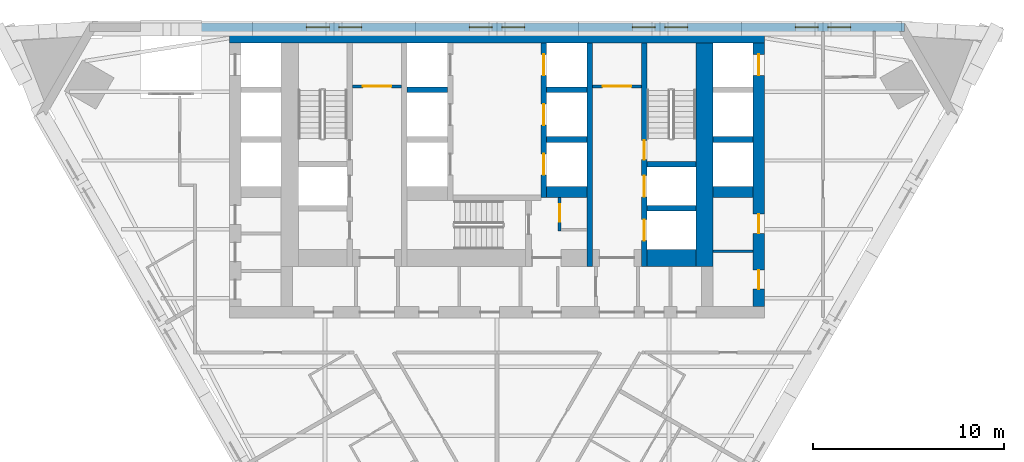
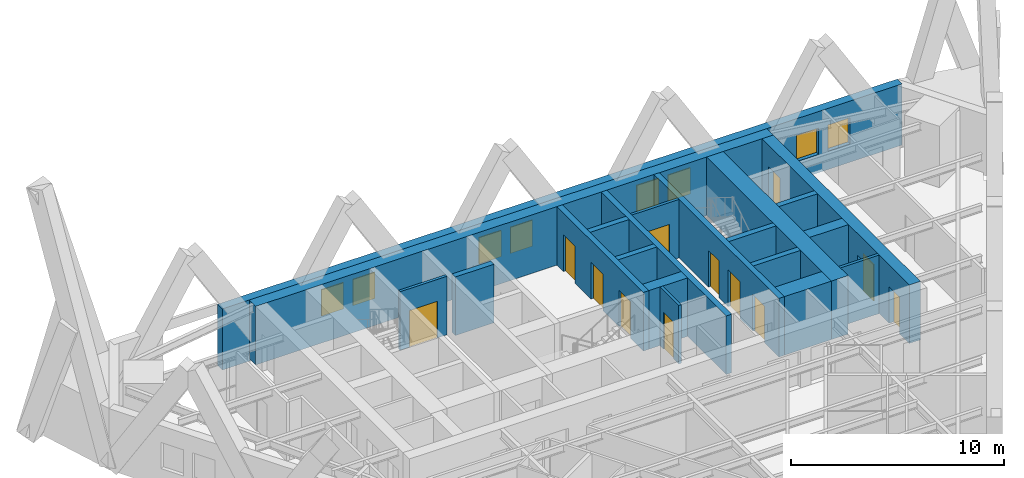
# One storey, part 8 of 11: 20 walls, 12 doors, 8 windows, 20 openings.
"""IFC4 building model written with IfcOpenShell, lengths in metres."""

from ifc_helpers import new_model, si_unit, direction, frame, frame_2d, origin, place, context, subcontext, project, spatial, polyline, rectangle, outline, extrude, material, layer, layer_set, type_object, element, fill, save


model = new_model("IFC4")

# Units and contexts
model_context = context("Model", 3, precision=1e-05, world=origin(), true_north=direction((0.0, 1.0)))
body_context = subcontext(model_context, "Body", "Model", "MODEL_VIEW")
ifc_project = project(units=[si_unit("LENGTHUNIT", "METRE"), si_unit("AREAUNIT", "SQUARE_METRE"), si_unit("VOLUMEUNIT", "CUBIC_METRE"), si_unit("PLANEANGLEUNIT", "RADIAN"), si_unit("MASSUNIT", "GRAM", prefix="KILO")], contexts=[model_context])

# Site, building, storey
site_placement = place(None, origin())
site = spatial("IfcSite", under=ifc_project, at=site_placement, CompositionType="ELEMENT")
building_placement = place(site_placement, origin())
building = spatial("IfcBuilding", under=site, at=building_placement, Name="Aloe Facet Convention Tower", CompositionType="ELEMENT")
storey_placement = place(building_placement, frame((0.0, 0.0, 95.800048828125)))
storey = spatial("IfcBuildingStorey", under=building, at=storey_placement, Name="L23", CompositionType="ELEMENT", Elevation=95.800048828125)

# Wall, opening, door
ifc_material_1 = material(Name="Concrete blockwork partition", Category="masonry")
ifc_layer_1 = layer(ifc_material_1, 0.14990234375)
ifc_layer_set_1 = layer_set([ifc_layer_1], Name="CR-W-PART150")
wall_type_1 = type_object("IfcWallType", Name="CR-W-PART150", PredefinedType="PARTITIONING", material=ifc_layer_set_1)
wall_1_placement = place(storey_placement, frame((72.449951171875, 131.675048828125, 0.0), z_axis=(0.0, 0.0, 1.0), x_axis=(1.0, 0.0, 0.0)))
wall_1 = element("IfcWall", 1, at=wall_1_placement, inside=storey, type_object=wall_type_1, Name="Core partition L23-015", PredefinedType="PARTITIONING", context=body_context, shape_type="SweptSolid", body=[
    extrude(rectangle(XDim=2.550048828125, YDim=0.14990234375, at=frame_2d((1.27490234375, 0.0))), origin(), (0.0, 0.0, 1.0), 3.349853515625),
])
opening_1_placement = place(wall_1_placement, frame((0.52490234375, 0.0, 0.0)))
opening_1 = element("IfcOpeningElement", 2, at=opening_1_placement, cuts=wall_1, Name="Opening L23-CD21", PredefinedType="OPENING", context=body_context, shape_type="SweptSolid", body=[
    extrude(rectangle(XDim=1.5, YDim=2.10009765625, at=frame_2d((0.75, 1.050048828125))), frame((0.0, 0.0849609375, 0.0), z_axis=(0.0, -1.0, 0.0), x_axis=(1.0, 0.0, 0.0)), (0.0, 0.0, 1.0), 0.169921875),
])
ifc_material_2 = material(Name="Steel fire-resisting door set FD60", Category="steel")
door_type_1 = type_object("IfcDoorType", Name="CR-D-REFUGE-1500-FD60-DD", OperationType="DOUBLE_DOOR_DOUBLE_SWING", PredefinedType="DOOR", material=ifc_material_2)
door_1_placement = place(opening_1_placement, origin())
door_1 = element("IfcDoor", 3, at=door_1_placement, inside=storey, type_object=door_type_1, Name="Core door L23-CD21", OperationType="DOUBLE_DOOR_DOUBLE_SWING", OverallHeight=2.10009765625, OverallWidth=1.5, PredefinedType="DOOR", context=body_context, shape_type="SweptSolid", body=[
    extrude(rectangle(XDim=1.5, YDim=2.10009765625, at=frame_2d((0.75, 1.050048828125))), frame((0.0, 0.02490234375, 0.0), z_axis=(0.0, -1.0, 0.0), x_axis=(1.0, 0.0, 0.0)), (0.0, 0.0, 1.0), 0.050048828125),
])
fill(opening_1, door_1)

wall_2_placement = place(storey_placement, frame((83.27490234375, 125.85009765625, 0.0), z_axis=(0.0, 0.0, 1.0), x_axis=(0.0, -1.0, 0.0)))
wall_2 = element("IfcWall", 4, at=wall_2_placement, inside=storey, type_object=wall_type_1, Name="Core partition L23-035", PredefinedType="PARTITIONING", context=body_context, shape_type="SweptSolid", body=[
    extrude(rectangle(XDim=1.75, YDim=0.14990234375, at=frame_2d((0.875, 0.0))), origin(), (0.0, 0.0, 1.0), 3.349853515625),
])
opening_2_placement = place(wall_2_placement, frame((0.35009765625, 0.0, 0.0)))
opening_2 = element("IfcOpeningElement", 5, at=opening_2_placement, cuts=wall_2, Name="Opening L23-CD19", PredefinedType="OPENING", context=body_context, shape_type="SweptSolid", body=[
    extrude(rectangle(XDim=0.89990234375, YDim=2.10009765625, at=frame_2d((0.449951171875, 1.050048828125))), frame((0.0, 0.0849609375, 0.0), z_axis=(0.0, -1.0, 0.0), x_axis=(1.0, 0.0, 0.0)), (0.0, 0.0, 1.0), 0.169921875),
])
ifc_material_3 = material(Name="Steel fire-resisting door set FD60", Category="steel")
door_type_2 = type_object("IfcDoorType", Name="CR-D-REFUGE-900-FD60-SRIGHT", OperationType="SINGLE_SWING_RIGHT", PredefinedType="DOOR", material=ifc_material_3)
door_2_placement = place(opening_2_placement, origin())
door_2 = element("IfcDoor", 6, at=door_2_placement, inside=storey, type_object=door_type_2, Name="Core door L23-CD19", OperationType="SINGLE_SWING_RIGHT", OverallHeight=2.10009765625, OverallWidth=0.89990234375, PredefinedType="DOOR", context=body_context, shape_type="SweptSolid", body=[
    extrude(rectangle(XDim=0.89990234375, YDim=2.10009765625, at=frame_2d((0.449951171875, 1.050048828125))), frame((0.0, 0.02490234375, 0.0), z_axis=(0.0, -1.0, 0.0), x_axis=(1.0, 0.0, 0.0)), (0.0, 0.0, 1.0), 0.050048828125),
])
fill(opening_2, door_2)

wall_3_placement = place(storey_placement, frame((85.0, 131.675048828125, 0.0), z_axis=(0.0, 0.0, 1.0), x_axis=(1.0, 0.0, 0.0)))
wall_3 = element("IfcWall", 7, at=wall_3_placement, inside=storey, type_object=wall_type_1, Name="Core partition L23-038", PredefinedType="PARTITIONING", context=body_context, shape_type="SweptSolid", body=[
    extrude(rectangle(XDim=2.550048828125, YDim=0.14990234375, at=frame_2d((1.27490234375, 0.0))), origin(), (0.0, 0.0, 1.0), 3.349853515625),
])
opening_3_placement = place(wall_3_placement, frame((0.52490234375, 0.0, 0.0)))
opening_3 = element("IfcOpeningElement", 8, at=opening_3_placement, cuts=wall_3, Name="Opening L23-CD20", PredefinedType="OPENING", context=body_context, shape_type="SweptSolid", body=[
    extrude(rectangle(XDim=1.5, YDim=2.10009765625, at=frame_2d((0.75, 1.050048828125))), frame((0.0, 0.0849609375, 0.0), z_axis=(0.0, -1.0, 0.0), x_axis=(1.0, 0.0, 0.0)), (0.0, 0.0, 1.0), 0.169921875),
])
door_3_placement = place(opening_3_placement, origin())
door_3 = element("IfcDoor", 9, at=door_3_placement, inside=storey, type_object=door_type_1, Name="Core door L23-CD20", OperationType="DOUBLE_DOOR_DOUBLE_SWING", OverallHeight=2.10009765625, OverallWidth=1.5, PredefinedType="DOOR", context=body_context, shape_type="SweptSolid", body=[
    extrude(rectangle(XDim=1.5, YDim=2.10009765625, at=frame_2d((0.75, 1.050048828125))), frame((0.0, 0.02490234375, 0.0), z_axis=(0.0, -1.0, 0.0), x_axis=(1.0, 0.0, 0.0)), (0.0, 0.0, 1.0), 0.050048828125),
])
fill(opening_3, door_3)

# Walls
wall_4_placement = place(storey_placement, frame((91.300048828125, 123.048583984375, 0.0), z_axis=(0.0, 0.0, 1.0), x_axis=(1.0, 0.0, 0.0)))
element("IfcWall", 10, at=wall_4_placement, inside=storey, type_object=wall_type_1, Name="Core partition L23-052", PredefinedType="PARTITIONING", context=body_context, shape_type="SweptSolid", body=[
    extrude(rectangle(XDim=2.099853515625, YDim=0.14990234375, at=frame_2d((1.0498046875, 0.0))), origin(), (0.0, 0.0, 1.0), 3.349853515625),
])
ifc_material_4 = material(Name="Concrete C70/85", Category="concrete")
ifc_layer_2 = layer(ifc_material_4, 0.300048828125)
ifc_layer_set_2 = layer_set([ifc_layer_2], Name="CR-W-RC300-C7085")
wall_type_2 = type_object("IfcWallType", Name="CR-W-RC300-C7085", PredefinedType="SOLIDWALL", material=ifc_layer_set_2)
wall_5_placement = place(storey_placement, frame((75.300048828125, 131.5, 0.0), z_axis=(0.0, 0.0, 1.0), x_axis=(1.0, 0.0, 0.0)))
element("IfcWall", 11, at=wall_5_placement, inside=storey, type_object=wall_type_2, Name="Core wall L23-020", PredefinedType="SOLIDWALL", context=body_context, shape_type="SweptSolid", body=[
    extrude(rectangle(XDim=2.099853515625, YDim=0.300048828125, at=frame_2d((1.0498046875, 0.0))), origin(), (0.0, 0.0, 1.0), 3.349853515625),
])

# Wall, openings, doors
wall_6_placement = place(storey_placement, frame((82.449951171875, 133.949951171875, 0.0), z_axis=(0.0, 0.0, 1.0), x_axis=(0.0, -1.0, 0.0)))
wall_6 = element("IfcWall", 12, at=wall_6_placement, inside=storey, type_object=wall_type_2, Name="Core wall L23-030", PredefinedType="SOLIDWALL", context=body_context, shape_type="SweptSolid", body=[
    extrude(rectangle(XDim=8.099853515625, YDim=0.300048828125, at=frame_2d((4.0498046875, 0.0))), origin(), (0.0, 0.0, 1.0), 3.349853515625),
])
opening_4_placement = place(wall_6_placement, frame((0.60009765625, 0.0, 0.0)))
opening_4 = element("IfcOpeningElement", 13, at=opening_4_placement, cuts=wall_6, Name="Opening LD-A4-L23", PredefinedType="OPENING", context=body_context, shape_type="SweptSolid", body=[
    extrude(rectangle(XDim=1.10009765625, YDim=2.10009765625, at=frame_2d((0.550048828125, 1.050048828125))), frame((0.0, 0.16015625, 0.0), z_axis=(0.0, -1.0, 0.0), x_axis=(1.0, 0.0, 0.0)), (0.0, 0.0, 1.0), 0.320068359375),
])
opening_5_placement = place(wall_6_placement, frame((3.199951171875, 0.0, 0.0)))
opening_5 = element("IfcOpeningElement", 14, at=opening_5_placement, cuts=wall_6, Name="Opening LD-A5-L23", PredefinedType="OPENING", context=body_context, shape_type="SweptSolid", body=[
    extrude(rectangle(XDim=1.10009765625, YDim=2.10009765625, at=frame_2d((0.550048828125, 1.050048828125))), frame((0.0, 0.16015625, 0.0), z_axis=(0.0, -1.0, 0.0), x_axis=(1.0, 0.0, 0.0)), (0.0, 0.0, 1.0), 0.320068359375),
])
opening_6_placement = place(wall_6_placement, frame((5.800048828125, 0.0, 0.0)))
opening_6 = element("IfcOpeningElement", 15, at=opening_6_placement, cuts=wall_6, Name="Opening LD-A6-L23", PredefinedType="OPENING", context=body_context, shape_type="SweptSolid", body=[
    extrude(rectangle(XDim=1.10009765625, YDim=2.10009765625, at=frame_2d((0.550048828125, 1.050048828125))), frame((0.0, 0.16015625, 0.0), z_axis=(0.0, -1.0, 0.0), x_axis=(1.0, 0.0, 0.0)), (0.0, 0.0, 1.0), 0.320068359375),
])
ifc_material_5 = material(Name="Stainless steel sliding landing door", Category="steel")
door_type_3 = type_object("IfcDoorType", Name="CR-LD-1100-FD60-_LEFT", OperationType="SLIDING_TO_LEFT", PredefinedType="DOOR", material=ifc_material_5)
door_4_placement = place(opening_4_placement, origin())
door_4 = element("IfcDoor", 16, at=door_4_placement, inside=storey, type_object=door_type_3, Name="Landing door A4 L23", OperationType="SLIDING_TO_LEFT", OverallHeight=2.10009765625, OverallWidth=1.10009765625, PredefinedType="DOOR", context=body_context, shape_type="SweptSolid", body=[
    extrude(rectangle(XDim=1.10009765625, YDim=2.10009765625, at=frame_2d((0.550048828125, 1.050048828125))), frame((0.0, 0.02490234375, 0.0), z_axis=(0.0, -1.0, 0.0), x_axis=(1.0, 0.0, 0.0)), (0.0, 0.0, 1.0), 0.050048828125),
])
fill(opening_4, door_4)
door_5_placement = place(opening_5_placement, origin())
door_5 = element("IfcDoor", 17, at=door_5_placement, inside=storey, type_object=door_type_3, Name="Landing door A5 L23", OperationType="SLIDING_TO_LEFT", OverallHeight=2.10009765625, OverallWidth=1.10009765625, PredefinedType="DOOR", context=body_context, shape_type="SweptSolid", body=[
    extrude(rectangle(XDim=1.10009765625, YDim=2.10009765625, at=frame_2d((0.550048828125, 1.050048828125))), frame((0.0, 0.02490234375, 0.0), z_axis=(0.0, -1.0, 0.0), x_axis=(1.0, 0.0, 0.0)), (0.0, 0.0, 1.0), 0.050048828125),
])
fill(opening_5, door_5)
door_6_placement = place(opening_6_placement, origin())
door_6 = element("IfcDoor", 18, at=door_6_placement, inside=storey, type_object=door_type_3, Name="Landing door A6 L23", OperationType="SLIDING_TO_LEFT", OverallHeight=2.10009765625, OverallWidth=1.10009765625, PredefinedType="DOOR", context=body_context, shape_type="SweptSolid", body=[
    extrude(rectangle(XDim=1.10009765625, YDim=2.10009765625, at=frame_2d((0.550048828125, 1.050048828125))), frame((0.0, 0.02490234375, 0.0), z_axis=(0.0, -1.0, 0.0), x_axis=(1.0, 0.0, 0.0)), (0.0, 0.0, 1.0), 0.050048828125),
])
fill(opening_6, door_6)

# Walls
for number, where, z_axis, x_axis, name in (
    (19, (82.60009765625, 131.5, 0.0), (0.0, 0.0, 1.0), (1.0, 0.0, 0.0), "Core wall L23-031"),
    (20, (82.60009765625, 128.89990234375, 0.0), (0.0, 0.0, 1.0), (1.0, 0.0, 0.0), "Core wall L23-032"),
):
    element("IfcWall", number, at=place(storey_placement, frame(where, z_axis=z_axis, x_axis=x_axis)), inside=storey, type_object=wall_type_2, Name=name, PredefinedType="SOLIDWALL", context=body_context, shape_type="SweptSolid", body=[
        extrude(rectangle(XDim=2.099853515625, YDim=0.300048828125, at=frame_2d((1.0498046875, 0.0))), origin(), (0.0, 0.0, 1.0), 3.349853515625),
    ])
wall_7_placement = place(storey_placement, frame((84.85009765625, 133.949951171875, 0.0), z_axis=(0.0, 0.0, 1.0), x_axis=(0.0, -1.0, 0.0)))
element("IfcWall", 21, at=wall_7_placement, inside=storey, type_object=wall_type_2, Name="Core wall L23-037", PredefinedType="SOLIDWALL", context=body_context, shape_type="SweptSolid", body=[
    extrude(rectangle(XDim=11.699951171875, YDim=0.300048828125, at=frame_2d((5.85009765625, 0.0))), origin(), (0.0, 0.0, 1.0), 3.349853515625),
])

# Wall, openings, doors
wall_8_placement = place(storey_placement, frame((87.699951171875, 133.949951171875, 0.0), z_axis=(0.0, 0.0, 1.0), x_axis=(0.0, -1.0, 0.0)))
wall_8 = element("IfcWall", 22, at=wall_8_placement, inside=storey, type_object=wall_type_2, Name="Core wall L23-042", PredefinedType="SOLIDWALL", context=body_context, shape_type="SweptSolid", body=[
    extrude(rectangle(XDim=11.699951171875, YDim=0.300048828125, at=frame_2d((5.85009765625, 0.0))), origin(), (0.0, 0.0, 1.0), 3.349853515625),
])
opening_7_placement = place(wall_8_placement, frame((6.949951171875, 0.0, 0.0)))
opening_7 = element("IfcOpeningElement", 23, at=opening_7_placement, cuts=wall_8, Name="Opening LD-FF2-L23", PredefinedType="OPENING", context=body_context, shape_type="SweptSolid", body=[
    extrude(rectangle(XDim=1.10009765625, YDim=2.10009765625, at=frame_2d((0.550048828125, 1.050048828125))), frame((0.0, 0.16015625, 0.0), z_axis=(0.0, -1.0, 0.0), x_axis=(1.0, 0.0, 0.0)), (0.0, 0.0, 1.0), 0.320068359375),
])
opening_8_placement = place(wall_8_placement, frame((5.10009765625, 0.0, 0.0)))
opening_8 = element("IfcOpeningElement", 24, at=opening_8_placement, cuts=wall_8, Name="Opening L23-CD30", PredefinedType="OPENING", context=body_context, shape_type="SweptSolid", body=[
    extrude(rectangle(XDim=1.0, YDim=2.10009765625, at=frame_2d((0.5, 1.050048828125))), frame((0.0, 0.16015625, 0.0), z_axis=(0.0, -1.0, 0.0), x_axis=(1.0, 0.0, 0.0)), (0.0, 0.0, 1.0), 0.320068359375),
])
opening_9_placement = place(wall_8_placement, frame((9.25, 0.0, 0.0)))
opening_9 = element("IfcOpeningElement", 25, at=opening_9_placement, cuts=wall_8, Name="Opening LD-SV1-L23", PredefinedType="OPENING", context=body_context, shape_type="SweptSolid", body=[
    extrude(rectangle(XDim=1.10009765625, YDim=2.10009765625, at=frame_2d((0.550048828125, 1.050048828125))), frame((0.0, 0.16015625, 0.0), z_axis=(0.0, -1.0, 0.0), x_axis=(1.0, 0.0, 0.0)), (0.0, 0.0, 1.0), 0.320068359375),
])
ifc_material_6 = material(Name="Steel fire-resisting door set FD120", Category="steel")
door_type_4 = type_object("IfcDoorType", Name="CR-D-STAIR-1000-FD120-SLEFT", OperationType="SINGLE_SWING_LEFT", PredefinedType="DOOR", material=ifc_material_6)
door_7_placement = place(opening_8_placement, origin())
door_7 = element("IfcDoor", 26, at=door_7_placement, inside=storey, type_object=door_type_4, Name="Core door L23-CD30", OperationType="SINGLE_SWING_LEFT", OverallHeight=2.10009765625, OverallWidth=1.0, PredefinedType="DOOR", context=body_context, shape_type="SweptSolid", body=[
    extrude(rectangle(XDim=1.0, YDim=2.10009765625, at=frame_2d((0.5, 1.050048828125))), frame((0.0, 0.02490234375, 0.0), z_axis=(0.0, -1.0, 0.0), x_axis=(1.0, 0.0, 0.0)), (0.0, 0.0, 1.0), 0.050048828125),
])
fill(opening_8, door_7)
ifc_material_7 = material(Name="Stainless steel sliding landing door", Category="steel")
door_type_5 = type_object("IfcDoorType", Name="CR-LD-1100-FD120-_LEFT", OperationType="SLIDING_TO_LEFT", PredefinedType="DOOR", material=ifc_material_7)
door_8_placement = place(opening_7_placement, origin())
door_8 = element("IfcDoor", 27, at=door_8_placement, inside=storey, type_object=door_type_5, Name="Landing door FF2 L23", OperationType="SLIDING_TO_LEFT", OverallHeight=2.10009765625, OverallWidth=1.10009765625, PredefinedType="DOOR", context=body_context, shape_type="SweptSolid", body=[
    extrude(rectangle(XDim=1.10009765625, YDim=2.10009765625, at=frame_2d((0.550048828125, 1.050048828125))), frame((0.0, 0.02490234375, 0.0), z_axis=(0.0, -1.0, 0.0), x_axis=(1.0, 0.0, 0.0)), (0.0, 0.0, 1.0), 0.050048828125),
])
fill(opening_7, door_8)
door_9_placement = place(opening_9_placement, origin())
door_9 = element("IfcDoor", 28, at=door_9_placement, inside=storey, type_object=door_type_5, Name="Landing door SV1 L23", OperationType="SLIDING_TO_LEFT", OverallHeight=2.10009765625, OverallWidth=1.10009765625, PredefinedType="DOOR", context=body_context, shape_type="SweptSolid", body=[
    extrude(rectangle(XDim=1.10009765625, YDim=2.10009765625, at=frame_2d((0.550048828125, 1.050048828125))), frame((0.0, 0.02490234375, 0.0), z_axis=(0.0, -1.0, 0.0), x_axis=(1.0, 0.0, 0.0)), (0.0, 0.0, 1.0), 0.050048828125),
])
fill(opening_9, door_9)

# Walls
for number, where, z_axis, x_axis, name in (
    (29, (87.85009765625, 127.60009765625, 0.0), (0.0, 0.0, 1.0), (1.0, 0.0, 0.0), "Core wall L23-043"),
    (30, (87.85009765625, 125.300048828125, 0.0), (0.0, 0.0, 1.0), (1.0, 0.0, 0.0), "Core wall L23-044"),
):
    element("IfcWall", number, at=place(storey_placement, frame(where, z_axis=z_axis, x_axis=x_axis)), inside=storey, type_object=wall_type_2, Name=name, PredefinedType="SOLIDWALL", context=body_context, shape_type="SweptSolid", body=[
        extrude(rectangle(XDim=2.5498046875, YDim=0.300048828125, at=frame_2d((1.27490234375, 0.0))), origin(), (0.0, 0.0, 1.0), 3.349853515625),
    ])
wall_9_placement = place(storey_placement, frame((91.300048828125, 128.89990234375, 0.0), z_axis=(0.0, 0.0, 1.0), x_axis=(1.0, 0.0, 0.0)))
element("IfcWall", 31, at=wall_9_placement, inside=storey, type_object=wall_type_2, Name="Core wall L23-050", PredefinedType="SOLIDWALL", context=body_context, shape_type="SweptSolid", body=[
    extrude(rectangle(XDim=2.099853515625, YDim=0.300048828125, at=frame_2d((1.0498046875, 0.0))), origin(), (0.0, 0.0, 1.0), 3.349853515625),
])
ifc_material_8 = material(Name="Concrete C70/85", Category="concrete")
ifc_layer_3 = layer(ifc_material_8, 0.60009765625)
ifc_layer_set_3 = layer_set([ifc_layer_3], Name="CR-W-RC600-C7085")
wall_type_3 = type_object("IfcWallType", Name="CR-W-RC600-C7085", PredefinedType="SOLIDWALL", material=ifc_layer_set_3)
wall_10_placement = place(storey_placement, frame((66.0, 134.25, 0.0), z_axis=(0.0, 0.0, 1.0), x_axis=(1.0, 0.0, 0.0)))
element("IfcWall", 32, at=wall_10_placement, inside=storey, type_object=wall_type_3, Name="Core wall L23-001", PredefinedType="SOLIDWALL", context=body_context, shape_type="SweptSolid", body=[
    extrude(rectangle(XDim=28.0, YDim=0.60009765625, at=frame_2d((14.0, 0.0))), origin(), (0.0, 0.0, 1.0), 3.349853515625),
])
for number, where, z_axis, x_axis, name in (
    (33, (82.60009765625, 126.14990234375, 0.0), (0.0, 0.0, 1.0), (1.0, 0.0, 0.0), "Core wall L23-033"),
    (34, (91.300048828125, 126.14990234375, 0.0), (0.0, 0.0, 1.0), (1.0, 0.0, 0.0), "Core wall L23-051"),
):
    element("IfcWall", number, at=place(storey_placement, frame(where, z_axis=z_axis, x_axis=x_axis)), inside=storey, type_object=wall_type_3, Name=name, PredefinedType="SOLIDWALL", context=body_context, shape_type="SweptSolid", body=[
        extrude(rectangle(XDim=2.099853515625, YDim=0.60009765625, at=frame_2d((1.0498046875, 0.0))), origin(), (0.0, 0.0, 1.0), 3.349853515625),
    ])

# Wall, openings, doors
wall_11_placement = place(storey_placement, frame((93.699951171875, 133.949951171875, 0.0), z_axis=(0.0, 0.0, 1.0), x_axis=(0.0, -1.0, 0.0)))
wall_11 = element("IfcWall", 35, at=wall_11_placement, inside=storey, type_object=wall_type_3, Name="Core wall L23-053", PredefinedType="SOLIDWALL", context=body_context, shape_type="SweptSolid", body=[
    extrude(rectangle(XDim=13.800048828125, YDim=0.60009765625, at=frame_2d((6.89990234375, 0.0))), origin(), (0.0, 0.0, 1.0), 3.349853515625),
])
opening_10_placement = place(wall_11_placement, frame((0.60009765625, 0.0, 0.0)))
opening_10 = element("IfcOpeningElement", 36, at=opening_10_placement, cuts=wall_11, Name="Opening LD-A8-L23", PredefinedType="OPENING", context=body_context, shape_type="SweptSolid", body=[
    extrude(rectangle(XDim=1.10009765625, YDim=2.10009765625, at=frame_2d((0.550048828125, 1.050048828125))), frame((0.0, 0.31005859375, 0.0), z_axis=(0.0, -1.0, 0.0), x_axis=(1.0, 0.0, 0.0)), (0.0, 0.0, 1.0), 0.6201171875),
])
opening_11_placement = place(wall_11_placement, frame((8.963134765625, 0.0, 0.0)))
opening_11 = element("IfcOpeningElement", 37, at=opening_11_placement, cuts=wall_11, Name="Opening L23-CD09", PredefinedType="OPENING", context=body_context, shape_type="SweptSolid", body=[
    extrude(rectangle(XDim=1.0, YDim=2.10009765625, at=frame_2d((0.5, 1.050048828125))), frame((0.0, 0.31005859375, 0.0), z_axis=(0.0, -1.0, 0.0), x_axis=(1.0, 0.0, 0.0)), (0.0, 0.0, 1.0), 0.6201171875),
])
opening_12_placement = place(wall_11_placement, frame((11.88818359375, 0.0, 0.0)))
opening_12 = element("IfcOpeningElement", 38, at=opening_12_placement, cuts=wall_11, Name="Opening L23-CD10", PredefinedType="OPENING", context=body_context, shape_type="SweptSolid", body=[
    extrude(rectangle(XDim=1.0, YDim=2.10009765625, at=frame_2d((0.5, 1.050048828125))), frame((0.0, 0.31005859375, 0.0), z_axis=(0.0, -1.0, 0.0), x_axis=(1.0, 0.0, 0.0)), (0.0, 0.0, 1.0), 0.6201171875),
])
ifc_material_9 = material(Name="Steel fire-resisting door set FD60", Category="steel")
door_type_6 = type_object("IfcDoorType", Name="CR-D-ROOM-1000-FD60-SLEFT", OperationType="SINGLE_SWING_LEFT", PredefinedType="DOOR", material=ifc_material_9)
door_10_placement = place(opening_11_placement, origin())
door_10 = element("IfcDoor", 39, at=door_10_placement, inside=storey, type_object=door_type_6, Name="Core door L23-CD09", OperationType="SINGLE_SWING_LEFT", OverallHeight=2.10009765625, OverallWidth=1.0, PredefinedType="DOOR", context=body_context, shape_type="SweptSolid", body=[
    extrude(rectangle(XDim=1.0, YDim=2.10009765625, at=frame_2d((0.5, 1.050048828125))), frame((0.0, 0.02490234375, 0.0), z_axis=(0.0, -1.0, 0.0), x_axis=(1.0, 0.0, 0.0)), (0.0, 0.0, 1.0), 0.050048828125),
])
fill(opening_11, door_10)
door_11_placement = place(opening_12_placement, origin())
door_11 = element("IfcDoor", 40, at=door_11_placement, inside=storey, type_object=door_type_6, Name="Core door L23-CD10", OperationType="SINGLE_SWING_LEFT", OverallHeight=2.10009765625, OverallWidth=1.0, PredefinedType="DOOR", context=body_context, shape_type="SweptSolid", body=[
    extrude(rectangle(XDim=1.0, YDim=2.10009765625, at=frame_2d((0.5, 1.050048828125))), frame((0.0, 0.02490234375, 0.0), z_axis=(0.0, -1.0, 0.0), x_axis=(1.0, 0.0, 0.0)), (0.0, 0.0, 1.0), 0.050048828125),
])
fill(opening_12, door_11)
door_12_placement = place(opening_10_placement, origin())
door_12 = element("IfcDoor", 41, at=door_12_placement, inside=storey, type_object=door_type_3, Name="Landing door A8 L23", OperationType="SLIDING_TO_LEFT", OverallHeight=2.10009765625, OverallWidth=1.10009765625, PredefinedType="DOOR", context=body_context, shape_type="SweptSolid", body=[
    extrude(rectangle(XDim=1.10009765625, YDim=2.10009765625, at=frame_2d((0.550048828125, 1.050048828125))), frame((0.0, 0.02490234375, 0.0), z_axis=(0.0, -1.0, 0.0), x_axis=(1.0, 0.0, 0.0)), (0.0, 0.0, 1.0), 0.050048828125),
])
fill(opening_10, door_12)

# Walls
ifc_material_10 = material(Name="Concrete C70/85", Category="concrete")
ifc_layer_4 = layer(ifc_material_10, 0.89990234375)
ifc_layer_set_4 = layer_set([ifc_layer_4], Name="CR-W-RC900-C7085")
wall_type_4 = type_object("IfcWallType", Name="CR-W-RC900-C7085", PredefinedType="SOLIDWALL", material=ifc_layer_set_4)
wall_12_placement = place(storey_placement, frame((87.85009765625, 122.699951171875, 0.0), z_axis=(0.0, 0.0, 1.0), x_axis=(1.0, 0.0, 0.0)))
element("IfcWall", 42, at=wall_12_placement, inside=storey, type_object=wall_type_4, Name="Core wall L23-045", PredefinedType="SOLIDWALL", context=body_context, shape_type="SweptSolid", body=[
    extrude(rectangle(XDim=2.5498046875, YDim=0.89990234375, at=frame_2d((1.27490234375, 0.0))), origin(), (0.0, 0.0, 1.0), 3.349853515625),
])
wall_13_placement = place(storey_placement, frame((90.85009765625, 133.949951171875, 0.0), z_axis=(0.0, 0.0, 1.0), x_axis=(0.0, -1.0, 0.0)))
element("IfcWall", 43, at=wall_13_placement, inside=storey, type_object=wall_type_4, Name="Core wall L23-047", PredefinedType="SOLIDWALL", context=body_context, shape_type="SweptSolid", body=[
    extrude(rectangle(XDim=11.699951171875, YDim=0.89990234375, at=frame_2d((5.85009765625, 0.0))), origin(), (0.0, 0.0, 1.0), 3.349853515625),
])

# Wall, openings, windows
ifc_material_11 = material(Name="Precast concrete C40/50", Category="concrete")
ifc_layer_5 = layer(ifc_material_11, 0.449951171875)
ifc_layer_set_5 = layer_set([ifc_layer_5], Name="EV-WALL-STONE")
wall_type_5 = type_object("IfcWallType", Name="EV-WALL-STONE", PredefinedType="SOLIDWALL", material=ifc_layer_set_5)
wall_14_placement = place(storey_placement, frame((101.321533203125, 134.77490234375, -0.150146484375), z_axis=(0.0, 0.0, 1.0), x_axis=(-1.0, 0.0, 0.0)))
wall_14 = element("IfcWall", 44, at=wall_14_placement, inside=storey, type_object=wall_type_5, Name="EW-L23-N01", PredefinedType="SOLIDWALL", context=body_context, shape_type="SweptSolid", body=[
    extrude(outline(polyline([(0.0, 0.0), (0.0, 3.5), (36.77880859375, 3.5), (36.77880859375, 0.0), (0.0, 0.0)])), frame((0.0, 0.22509765625, 0.0), z_axis=(0.0, -1.0, 0.0), x_axis=(1.0, 0.0, 0.0)), (0.0, 0.0, 1.0), 0.449951171875),
])
opening_13_placement = place(wall_14_placement, frame((2.814208984375, 0.0, 1.050048828125)))
opening_13 = element("IfcOpeningElement", 45, at=opening_13_placement, cuts=wall_14, Name="Opening W-L23-N01", PredefinedType="OPENING", context=body_context, shape_type="SweptSolid", body=[
    extrude(rectangle(XDim=1.199951171875, YDim=1.5, at=frame_2d((0.60009765625, 0.75))), frame((0.0, 0.23486328125, 0.0), z_axis=(0.0, -1.0, 0.0), x_axis=(1.0, 0.0, 0.0)), (0.0, 0.0, 1.0), 0.469970703125),
])
opening_14_placement = place(wall_14_placement, frame((4.514404296875, 0.0, 1.050048828125)))
opening_14 = element("IfcOpeningElement", 46, at=opening_14_placement, cuts=wall_14, Name="Opening W-L23-N02", PredefinedType="OPENING", context=body_context, shape_type="SweptSolid", body=[
    extrude(rectangle(XDim=1.199951171875, YDim=1.5, at=frame_2d((0.60009765625, 0.75))), frame((0.0, 0.23486328125, 0.0), z_axis=(0.0, -1.0, 0.0), x_axis=(1.0, 0.0, 0.0)), (0.0, 0.0, 1.0), 0.469970703125),
])
opening_15_placement = place(wall_14_placement, frame((11.343017578125, 0.0, 1.050048828125)))
opening_15 = element("IfcOpeningElement", 47, at=opening_15_placement, cuts=wall_14, Name="Opening W-L23-N03", PredefinedType="OPENING", context=body_context, shape_type="SweptSolid", body=[
    extrude(rectangle(XDim=1.199951171875, YDim=1.5, at=frame_2d((0.60009765625, 0.75))), frame((0.0, 0.23486328125, 0.0), z_axis=(0.0, -1.0, 0.0), x_axis=(1.0, 0.0, 0.0)), (0.0, 0.0, 1.0), 0.469970703125),
])
opening_16_placement = place(wall_14_placement, frame((13.04296875, 0.0, 1.050048828125)))
opening_16 = element("IfcOpeningElement", 48, at=opening_16_placement, cuts=wall_14, Name="Opening W-L23-N04", PredefinedType="OPENING", context=body_context, shape_type="SweptSolid", body=[
    extrude(rectangle(XDim=1.199951171875, YDim=1.5, at=frame_2d((0.60009765625, 0.75))), frame((0.0, 0.23486328125, 0.0), z_axis=(0.0, -1.0, 0.0), x_axis=(1.0, 0.0, 0.0)), (0.0, 0.0, 1.0), 0.469970703125),
])
opening_17_placement = place(wall_14_placement, frame((19.87158203125, 0.0, 1.050048828125)))
opening_17 = element("IfcOpeningElement", 49, at=opening_17_placement, cuts=wall_14, Name="Opening W-L23-N05", PredefinedType="OPENING", context=body_context, shape_type="SweptSolid", body=[
    extrude(rectangle(XDim=1.199951171875, YDim=1.5, at=frame_2d((0.60009765625, 0.75))), frame((0.0, 0.23486328125, 0.0), z_axis=(0.0, -1.0, 0.0), x_axis=(1.0, 0.0, 0.0)), (0.0, 0.0, 1.0), 0.469970703125),
])
opening_18_placement = place(wall_14_placement, frame((21.571533203125, 0.0, 1.050048828125)))
opening_18 = element("IfcOpeningElement", 50, at=opening_18_placement, cuts=wall_14, Name="Opening W-L23-N06", PredefinedType="OPENING", context=body_context, shape_type="SweptSolid", body=[
    extrude(rectangle(XDim=1.199951171875, YDim=1.5, at=frame_2d((0.60009765625, 0.75))), frame((0.0, 0.23486328125, 0.0), z_axis=(0.0, -1.0, 0.0), x_axis=(1.0, 0.0, 0.0)), (0.0, 0.0, 1.0), 0.469970703125),
])
opening_19_placement = place(wall_14_placement, frame((28.400146484375, 0.0, 1.050048828125)))
opening_19 = element("IfcOpeningElement", 51, at=opening_19_placement, cuts=wall_14, Name="Opening W-L23-N07", PredefinedType="OPENING", context=body_context, shape_type="SweptSolid", body=[
    extrude(rectangle(XDim=1.199951171875, YDim=1.5, at=frame_2d((0.60009765625, 0.75))), frame((0.0, 0.23486328125, 0.0), z_axis=(0.0, -1.0, 0.0), x_axis=(1.0, 0.0, 0.0)), (0.0, 0.0, 1.0), 0.469970703125),
])
opening_20_placement = place(wall_14_placement, frame((30.10009765625, 0.0, 1.050048828125)))
opening_20 = element("IfcOpeningElement", 52, at=opening_20_placement, cuts=wall_14, Name="Opening W-L23-N08", PredefinedType="OPENING", context=body_context, shape_type="SweptSolid", body=[
    extrude(rectangle(XDim=1.199951171875, YDim=1.5, at=frame_2d((0.60009765625, 0.75))), frame((0.0, 0.23486328125, 0.0), z_axis=(0.0, -1.0, 0.0), x_axis=(1.0, 0.0, 0.0)), (0.0, 0.0, 1.0), 0.469970703125),
])
ifc_material_12 = material(Name="Aluminium frame, clear double glazing", Category="aluminium")
window_type = type_object("IfcWindowType", Name="EV-WIN-H12", PartitioningType="SINGLE_PANEL", PredefinedType="WINDOW", material=ifc_material_12)
window_1_placement = place(opening_13_placement, origin())
window_1 = element("IfcWindow", 53, at=window_1_placement, inside=storey, type_object=window_type, Name="W-L23-N01", OverallHeight=1.5, OverallWidth=1.199951171875, PartitioningType="SINGLE_PANEL", PredefinedType="WINDOW", context=body_context, shape_type="SweptSolid", body=[
    extrude(rectangle(XDim=1.199951171875, YDim=1.5, at=frame_2d((0.60009765625, 0.75))), frame((0.0, 0.030029296875, 0.0), z_axis=(0.0, -1.0, 0.0), x_axis=(1.0, 0.0, 0.0)), (0.0, 0.0, 1.0), 0.06005859375),
])
fill(opening_13, window_1)
window_2_placement = place(opening_14_placement, origin())
window_2 = element("IfcWindow", 54, at=window_2_placement, inside=storey, type_object=window_type, Name="W-L23-N02", OverallHeight=1.5, OverallWidth=1.199951171875, PartitioningType="SINGLE_PANEL", PredefinedType="WINDOW", context=body_context, shape_type="SweptSolid", body=[
    extrude(rectangle(XDim=1.199951171875, YDim=1.5, at=frame_2d((0.60009765625, 0.75))), frame((0.0, 0.030029296875, 0.0), z_axis=(0.0, -1.0, 0.0), x_axis=(1.0, 0.0, 0.0)), (0.0, 0.0, 1.0), 0.06005859375),
])
fill(opening_14, window_2)
window_3_placement = place(opening_15_placement, origin())
window_3 = element("IfcWindow", 55, at=window_3_placement, inside=storey, type_object=window_type, Name="W-L23-N03", OverallHeight=1.5, OverallWidth=1.199951171875, PartitioningType="SINGLE_PANEL", PredefinedType="WINDOW", context=body_context, shape_type="SweptSolid", body=[
    extrude(rectangle(XDim=1.199951171875, YDim=1.5, at=frame_2d((0.60009765625, 0.75))), frame((0.0, 0.030029296875, 0.0), z_axis=(0.0, -1.0, 0.0), x_axis=(1.0, 0.0, 0.0)), (0.0, 0.0, 1.0), 0.06005859375),
])
fill(opening_15, window_3)
window_4_placement = place(opening_16_placement, origin())
window_4 = element("IfcWindow", 56, at=window_4_placement, inside=storey, type_object=window_type, Name="W-L23-N04", OverallHeight=1.5, OverallWidth=1.199951171875, PartitioningType="SINGLE_PANEL", PredefinedType="WINDOW", context=body_context, shape_type="SweptSolid", body=[
    extrude(rectangle(XDim=1.199951171875, YDim=1.5, at=frame_2d((0.60009765625, 0.75))), frame((0.0, 0.030029296875, 0.0), z_axis=(0.0, -1.0, 0.0), x_axis=(1.0, 0.0, 0.0)), (0.0, 0.0, 1.0), 0.06005859375),
])
fill(opening_16, window_4)
window_5_placement = place(opening_17_placement, origin())
window_5 = element("IfcWindow", 57, at=window_5_placement, inside=storey, type_object=window_type, Name="W-L23-N05", OverallHeight=1.5, OverallWidth=1.199951171875, PartitioningType="SINGLE_PANEL", PredefinedType="WINDOW", context=body_context, shape_type="SweptSolid", body=[
    extrude(rectangle(XDim=1.199951171875, YDim=1.5, at=frame_2d((0.60009765625, 0.75))), frame((0.0, 0.030029296875, 0.0), z_axis=(0.0, -1.0, 0.0), x_axis=(1.0, 0.0, 0.0)), (0.0, 0.0, 1.0), 0.06005859375),
])
fill(opening_17, window_5)
window_6_placement = place(opening_18_placement, origin())
window_6 = element("IfcWindow", 58, at=window_6_placement, inside=storey, type_object=window_type, Name="W-L23-N06", OverallHeight=1.5, OverallWidth=1.199951171875, PartitioningType="SINGLE_PANEL", PredefinedType="WINDOW", context=body_context, shape_type="SweptSolid", body=[
    extrude(rectangle(XDim=1.199951171875, YDim=1.5, at=frame_2d((0.60009765625, 0.75))), frame((0.0, 0.030029296875, 0.0), z_axis=(0.0, -1.0, 0.0), x_axis=(1.0, 0.0, 0.0)), (0.0, 0.0, 1.0), 0.06005859375),
])
fill(opening_18, window_6)
window_7_placement = place(opening_19_placement, origin())
window_7 = element("IfcWindow", 59, at=window_7_placement, inside=storey, type_object=window_type, Name="W-L23-N07", OverallHeight=1.5, OverallWidth=1.199951171875, PartitioningType="SINGLE_PANEL", PredefinedType="WINDOW", context=body_context, shape_type="SweptSolid", body=[
    extrude(rectangle(XDim=1.199951171875, YDim=1.5, at=frame_2d((0.60009765625, 0.75))), frame((0.0, 0.030029296875, 0.0), z_axis=(0.0, -1.0, 0.0), x_axis=(1.0, 0.0, 0.0)), (0.0, 0.0, 1.0), 0.06005859375),
])
fill(opening_19, window_7)
window_8_placement = place(opening_20_placement, origin())
window_8 = element("IfcWindow", 60, at=window_8_placement, inside=storey, type_object=window_type, Name="W-L23-N08", OverallHeight=1.5, OverallWidth=1.199951171875, PartitioningType="SINGLE_PANEL", PredefinedType="WINDOW", context=body_context, shape_type="SweptSolid", body=[
    extrude(rectangle(XDim=1.199951171875, YDim=1.5, at=frame_2d((0.60009765625, 0.75))), frame((0.0, 0.030029296875, 0.0), z_axis=(0.0, -1.0, 0.0), x_axis=(1.0, 0.0, 0.0)), (0.0, 0.0, 1.0), 0.06005859375),
])
fill(opening_20, window_8)

save(model, "model.ifc")
